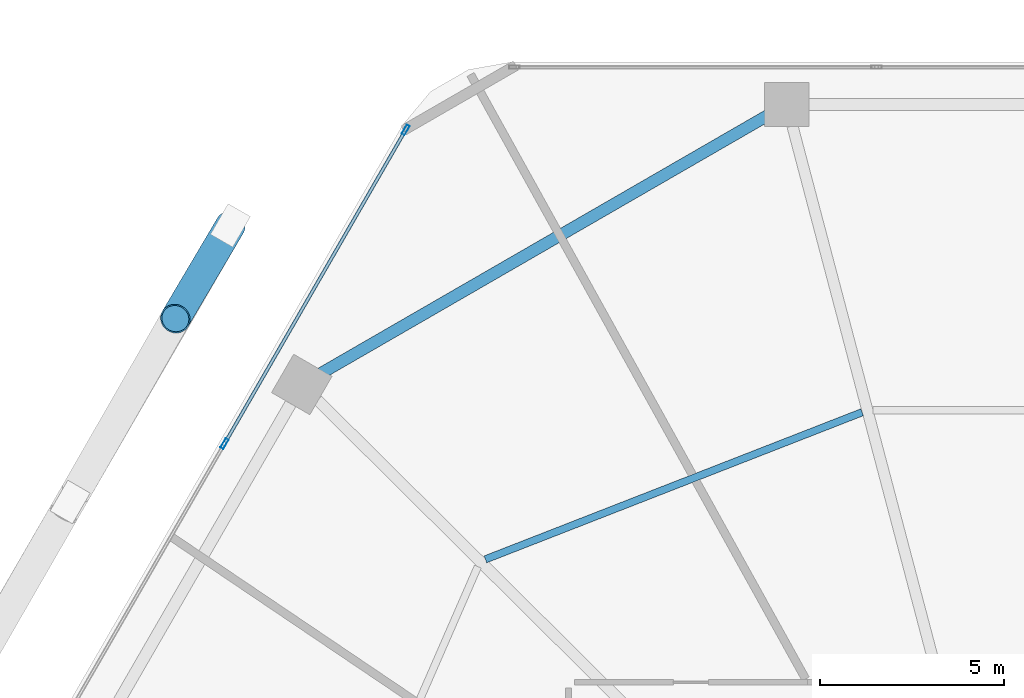
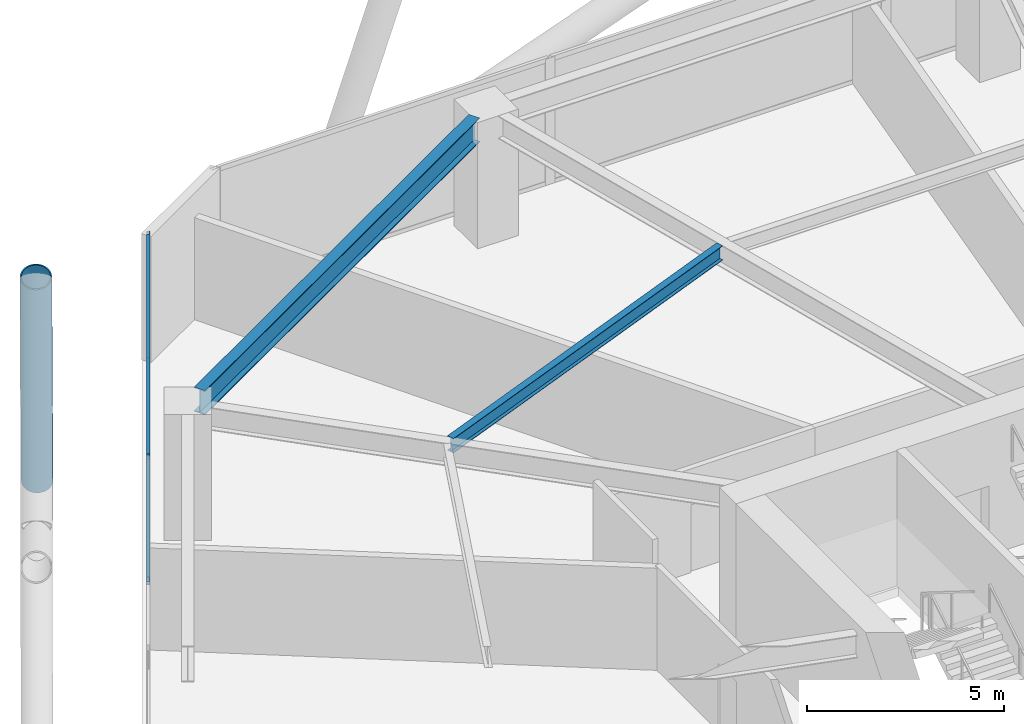
# One storey, part 16 of 28: 5 members, 2 beams, 1 element without a shape of its own.
"""IFC4 building model written with IfcOpenShell, lengths in metres."""

from ifc_helpers import new_model, si_unit, direction, frame, origin, origin_2d, place, context, subcontext, project, spatial, hollow_rectangle, hollow_circle, i_section, extrude, material, material_profile, profile_set, type_object, element, aggregate, save


model = new_model("IFC4")

# Units and contexts
model_context = context("Model", 3, precision=1e-05, world=origin(), true_north=direction((0.0, 1.0)))
body_context = subcontext(model_context, "Body", "Model", "MODEL_VIEW")
ifc_project = project(units=[si_unit("LENGTHUNIT", "METRE"), si_unit("AREAUNIT", "SQUARE_METRE"), si_unit("VOLUMEUNIT", "CUBIC_METRE"), si_unit("PLANEANGLEUNIT", "RADIAN"), si_unit("MASSUNIT", "GRAM", prefix="KILO")], contexts=[model_context])

# Site, building, storey
site_placement = place(None, origin())
site = spatial("IfcSite", under=ifc_project, at=site_placement, CompositionType="ELEMENT")
building_placement = place(site_placement, origin())
building = spatial("IfcBuilding", under=site, at=building_placement, Name="Zuhravey Tower", CompositionType="ELEMENT")
storey_placement = place(building_placement, frame((0.0, 0.0, 24.60009765625)))
storey = spatial("IfcBuildingStorey", under=building, at=storey_placement, Name="L06", CompositionType="ELEMENT", Elevation=24.60009765625)

# Curtain wall, members
ifc_material_1 = material(Name="Thermally broken anodised aluminium", Category="aluminium")
curtain_wall_type = type_object("IfcCurtainWallType", Name="School Low-E Unitised Curtain Wall CW1", PredefinedType="NOTDEFINED", material=ifc_material_1)
curtain_wall_placement = place(storey_placement, origin())
curtain_wall = element("IfcCurtainWall", 1, at=curtain_wall_placement, inside=storey, type_object=curtain_wall_type, Name="L06 CW1 CW-L06-F3-1", PredefinedType="NOTDEFINED")
ifc_material_2 = material(Name="Anodised aluminium", Category="aluminium")
ifc_material_profile_1 = material_profile(ifc_material_2, hollow_rectangle(XDim=0.090087890625, YDim=0.284912109375, WallThickness=0.0048828125, at=origin_2d()), Name="ALU-RHS-90x285x5")
ifc_profile_set_1 = profile_set([ifc_material_profile_1], Name="Anodised aluminium")
member_type_1 = type_object("IfcMemberType", Name="Curtain-Wall Mullion 90x180", PredefinedType="MULLION", material=ifc_profile_set_1)
member_1_placement = place(storey_placement, frame((13.387939453125, 50.75146484375, 0.0), z_axis=(0.0, 0.0, 1.0), x_axis=(-0.86602552265, 0.499999794119, 0.0)))
member_1 = element("IfcMember", 2, at=member_1_placement, type_object=member_type_1, Name="CW1 mullion 3", PredefinedType="MULLION", context=body_context, shape_type="SweptSolid", body=[
    extrude(hollow_rectangle(XDim=0.090087890625, YDim=0.284912109375, WallThickness=0.0048828125, at=origin_2d()), origin(), (0.0, 0.0, 1.0), 3.919921875),
])
member_2_placement = place(storey_placement, frame((18.298583984375, 59.257080078125, 0.0), z_axis=(0.0, 0.0, 1.0), x_axis=(-0.86602552265, 0.499999794119, 0.0)))
member_2 = element("IfcMember", 3, at=member_2_placement, type_object=member_type_1, Name="CW1 mullion 4", PredefinedType="MULLION", context=body_context, shape_type="SweptSolid", body=[
    extrude(hollow_rectangle(XDim=0.090087890625, YDim=0.284912109375, WallThickness=0.0048828125, at=origin_2d()), origin(), (0.0, 0.0, 1.0), 3.919921875),
])
ifc_material_profile_2 = material_profile(ifc_material_2, hollow_rectangle(XDim=0.090087890625, YDim=0.14990234375, WallThickness=0.0048828125, at=origin_2d()), Name="ALU-RHS-90x150x5")
ifc_profile_set_2 = profile_set([ifc_material_profile_2], Name="Anodised aluminium")
member_type_2 = type_object("IfcMemberType", Name="Curtain-Wall Transom 90x150", PredefinedType="USERDEFINED", material=ifc_profile_set_2)
member_3_placement = place(storey_placement, frame((13.410400390625, 50.79052734375, 0.044921875), z_axis=(0.499989576763, 0.86603142156, 0.0), x_axis=(-0.86603142156, 0.499989576763, 0.0)))
member_3 = element("IfcMember", 4, at=member_3_placement, type_object=member_type_2, Name="CW1 transom 3.1", ObjectType="TRANSOM", PredefinedType="USERDEFINED", context=body_context, shape_type="SweptSolid", body=[
    extrude(hollow_rectangle(XDim=0.090087890625, YDim=0.14990234375, WallThickness=0.0048828125, at=origin_2d()), origin(), (0.0, 0.0, 1.0), 9.731201171875),
])
member_4_placement = place(storey_placement, frame((13.410400390625, 50.79052734375, 3.875), z_axis=(0.499989576763, 0.86603142156, 0.0), x_axis=(-0.86603142156, 0.499989576763, 0.0)))
member_4 = element("IfcMember", 5, at=member_4_placement, type_object=member_type_2, Name="CW1 transom 3.2", ObjectType="TRANSOM", PredefinedType="USERDEFINED", context=body_context, shape_type="SweptSolid", body=[
    extrude(hollow_rectangle(XDim=0.090087890625, YDim=0.14990234375, WallThickness=0.0048828125, at=origin_2d()), origin(), (0.0, 0.0, 1.0), 9.731201171875),
])
aggregate(curtain_wall, [member_1, member_2, member_3, member_4])

# Member
ifc_material_3 = material(Name="Steel SM460", Category="steel")
ifc_material_profile_3 = material_profile(ifc_material_3, hollow_circle(Radius=0.406494140625, WallThickness=0.035888671875, at=origin_2d()), Name="CHS-812.8x36")
ifc_profile_set_3 = profile_set([ifc_material_profile_3], Name="Steel SM460")
member_type_3 = type_object("IfcMemberType", Name="Exoskeleton Zone 1 Diagrid CHS813x36", PredefinedType="BRACE", material=ifc_profile_set_3)
member_5_placement = place(storey_placement, frame((13.54345703125, 56.661376953125, -0.47216796875), z_axis=(-0.168228971741, -0.284673972177, 0.943747711326), x_axis=(0.86090992654, -0.508757406221, 0.0)))
element("IfcMember", 6, at=member_5_placement, inside=storey, type_object=member_type_3, Name="L06 Face 3 Diagrid Brace 1", PredefinedType="BRACE", context=body_context, shape_type="SweptSolid", body=[
    extrude(hollow_circle(Radius=0.406494140625, WallThickness=0.035888671875, at=origin_2d()), origin(), (0.0, 0.0, 1.0), 8.85400390625),
])

# Beams
ifc_material_4 = material(Name="Steel SM355", Category="steel")
ifc_material_profile_4 = material_profile(ifc_material_4, i_section(OverallWidth=0.320068359375, OverallDepth=0.75, WebThickness=0.013916015625, FlangeThickness=0.02490234375, at=origin_2d()), Name="H-750x320x14x25")
ifc_profile_set_4 = profile_set([ifc_material_profile_4], Name="Steel SM355")
beam_type_1 = type_object("IfcBeamType", Name="Perimeter Ring Beam H750x320", PredefinedType="BEAM", material=ifc_profile_set_4)
beam_1_placement = place(storey_placement, frame((28.10791015625, 59.64697265625, 3.544921875), z_axis=(-0.866029969761, -0.499992091414, 0.0), x_axis=(0.499992091414, -0.866029969761, 0.0)))
element("IfcBeam", 7, at=beam_1_placement, inside=storey, type_object=beam_type_1, Name="L06 PB1 BM-L06-PB-04", PredefinedType="BEAM", context=body_context, shape_type="SweptSolid", body=[
    extrude(i_section(OverallWidth=0.320068359375, OverallDepth=0.75, WebThickness=0.013916015625, FlangeThickness=0.02490234375, at=origin_2d()), origin(), (0.0, 0.0, 1.0), 13.977294921875),
])
ifc_material_profile_5 = material_profile(ifc_material_4, i_section(OverallWidth=0.199951171875, OverallDepth=0.449951171875, WebThickness=0.009033203125, FlangeThickness=0.013916015625, at=origin_2d()), Name="H-450x200x9x14")
ifc_profile_set_5 = profile_set([ifc_material_profile_5], Name="Steel SM355")
beam_type_2 = type_object("IfcBeamType", Name="Secondary Floor Joist H450x200", PredefinedType="JOIST", material=ifc_profile_set_5)
beam_2_placement = place(storey_placement, frame((30.67236328125, 51.60302734375, 3.69482421875), z_axis=(-0.931516535886, -0.363698973562, 0.0), x_axis=(0.363698973562, -0.931516535886, 0.0)))
element("IfcBeam", 8, at=beam_2_placement, inside=storey, type_object=beam_type_2, Name="L06 SJ1 BM-L06-SJ-04-1", PredefinedType="JOIST", context=body_context, shape_type="SweptSolid", body=[
    extrude(i_section(OverallWidth=0.199951171875, OverallDepth=0.449951171875, WebThickness=0.009033203125, FlangeThickness=0.013916015625, at=origin_2d()), origin(), (0.0, 0.0, 1.0), 10.963134765625),
])

save(model, "model.ifc")
